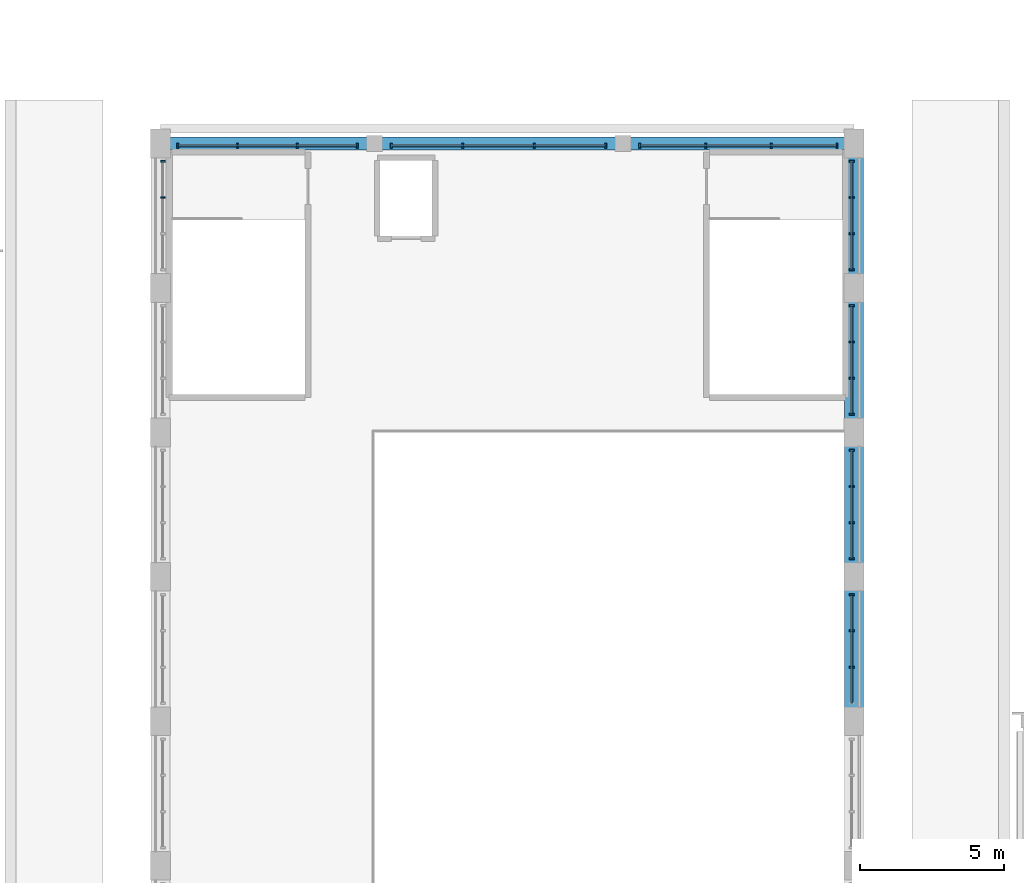
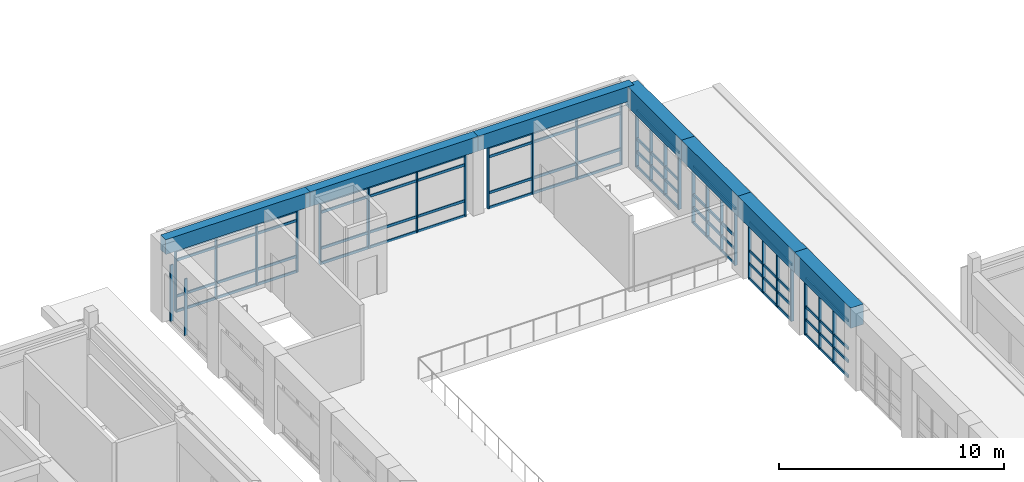
# One storey, part 27 of 97: 57 members, 7 beams, 8 elements without a shape of their own.
"""IFC4 building model written with IfcOpenShell, lengths in metres."""

from ifc_helpers import new_model, si_unit, direction, frame, origin, origin_2d, place, context, subcontext, project, spatial, rectangle, extrude, material, material_profile, profile_set, type_object, element, aggregate, save


model = new_model("IFC4")

# Units and contexts
model_context = context("Model", 3, precision=1e-05, world=origin(), true_north=direction((0.0, 1.0)))
body_context = subcontext(model_context, "Body", "Model", "MODEL_VIEW")
ifc_project = project(units=[si_unit("LENGTHUNIT", "METRE"), si_unit("AREAUNIT", "SQUARE_METRE"), si_unit("VOLUMEUNIT", "CUBIC_METRE"), si_unit("PLANEANGLEUNIT", "RADIAN"), si_unit("MASSUNIT", "GRAM", prefix="KILO")], contexts=[model_context])

# Site, building, storey
site_placement = place(None, origin())
site = spatial("IfcSite", under=ifc_project, at=site_placement, CompositionType="ELEMENT")
building_placement = place(site_placement, origin())
building = spatial("IfcBuilding", under=site, at=building_placement, Name="Kiranvali Square Residences", CompositionType="ELEMENT")
storey_placement = place(building_placement, frame((0.0, 0.0, 4.5)))
storey = spatial("IfcBuildingStorey", under=building, at=storey_placement, Name="L01", CompositionType="ELEMENT", Elevation=4.5)

# Beams
ifc_material_1 = material(Name="Concrete M50 (50 MPa)", Category="concrete")
ifc_material_profile_1 = material_profile(ifc_material_1, rectangle(XDim=0.449951171875, YDim=0.800048828125, at=origin_2d()), Name="RC 450x800")
ifc_profile_set_1 = profile_set([ifc_material_profile_1], Name="Concrete M50 (50 MPa)")
beam_type_1 = type_object("IfcBeamType", Name="BM-M50-450x800", PredefinedType="BEAM", material=ifc_profile_set_1)
beam_1_placement = place(storey_placement, frame((72.0, 84.0, 3.800048828125), z_axis=(1.0, 0.0, 0.0), x_axis=(0.0, 1.0, 0.0)))
element("IfcBeam", 1, at=beam_1_placement, inside=storey, type_object=beam_type_1, Name="L01 beam RB-CH-GAB-N-1", PredefinedType="BEAM", context=body_context, shape_type="SweptSolid", body=[
    extrude(rectangle(XDim=0.449951171875, YDim=0.800048828125, at=origin_2d()), origin(), (0.0, 0.0, 1.0), 7.39990234375),
])
beam_2_placement = place(storey_placement, frame((79.39990234375, 84.0, 3.800048828125), z_axis=(1.0, 0.0, 0.0), x_axis=(0.0, 1.0, 0.0)))
element("IfcBeam", 2, at=beam_2_placement, inside=storey, type_object=beam_type_1, Name="L01 beam RB-CH-GAB-N-2", PredefinedType="BEAM", context=body_context, shape_type="SweptSolid", body=[
    extrude(rectangle(XDim=0.449951171875, YDim=0.800048828125, at=origin_2d()), origin(), (0.0, 0.0, 1.0), 8.60009765625),
])
beam_3_placement = place(storey_placement, frame((88.0, 84.0, 3.800048828125), z_axis=(1.0, 0.0, 0.0), x_axis=(0.0, 1.0, 0.0)))
element("IfcBeam", 3, at=beam_3_placement, inside=storey, type_object=beam_type_1, Name="L01 beam RB-CH-GAB-N-3", PredefinedType="BEAM", context=body_context, shape_type="SweptSolid", body=[
    extrude(rectangle(XDim=0.449951171875, YDim=0.800048828125, at=origin_2d()), origin(), (0.0, 0.0, 1.0), 8.0),
])
ifc_material_2 = material(Name="Concrete M45 (45 MPa)", Category="concrete")
ifc_material_profile_2 = material_profile(ifc_material_2, rectangle(XDim=0.64990234375, YDim=1.10009765625, at=origin_2d()), Name="RC 650x1100")
ifc_profile_set_2 = profile_set([ifc_material_profile_2], Name="Concrete M45 (45 MPa)")
beam_type_2 = type_object("IfcBeamType", Name="BM-RING-650x1100", PredefinedType="BEAM", material=ifc_profile_set_2)
for number, where, z_axis, x_axis, name in (
    (4, (96.0, 64.0, 3.64990234375), (0.0, 1.0, 0.0), (-1.0, 0.0, 0.0), "Community Hall longitudinal vault ring beam E-5"),
    (5, (96.0, 69.0, 3.64990234375), (0.0, 1.0, 0.0), (-1.0, 0.0, 0.0), "Community Hall longitudinal vault ring beam E-6"),
    (6, (96.0, 74.0, 3.64990234375), (0.0, 1.0, 0.0), (-1.0, 0.0, 0.0), "Community Hall longitudinal vault ring beam E-7"),
    (7, (96.0, 79.0, 3.64990234375), (0.0, 1.0, 0.0), (-1.0, 0.0, 0.0), "Community Hall longitudinal vault ring beam E-8"),
):
    element("IfcBeam", number, at=place(storey_placement, frame(where, z_axis=z_axis, x_axis=x_axis)), inside=storey, type_object=beam_type_2, Name=name, PredefinedType="BEAM", context=body_context, shape_type="SweptSolid", body=[
        extrude(rectangle(XDim=0.64990234375, YDim=1.10009765625, at=origin_2d()), origin(), (0.0, 0.0, 1.0), 5.0),
    ])

# Curtain wall, members
ifc_material_3 = material(Name="Anodised bronze aluminium framing", Category="aluminium")
curtain_wall_type = type_object("IfcCurtainWallType", Name="CW-CH-GLZ", PredefinedType="USERDEFINED", material=ifc_material_3)
curtain_wall_1_placement = place(storey_placement, origin())
curtain_wall_1 = element("IfcCurtainWall", 8, at=curtain_wall_1_placement, inside=storey, type_object=curtain_wall_type, Name="Community Hall L01 E clerestory bay 5", ObjectType="CURTAIN WALL", PredefinedType="USERDEFINED")
ifc_material_profile_3 = material_profile(ifc_material_3, rectangle(XDim=0.06494140625, YDim=0.159912109375, at=origin_2d()), Name="ALU 65x160")
ifc_profile_set_3 = profile_set([ifc_material_profile_3], Name="Anodised bronze aluminium framing")
member_type_1 = type_object("IfcMemberType", Name="CW-MUL-160", PredefinedType="MULLION", material=ifc_profile_set_3)
member_1_placement = place(storey_placement, frame((95.919921875, 65.873291015625, 0.02001953125), z_axis=(0.0, 0.0, 1.0), x_axis=(0.0, 1.0, 0.0)))
member_1 = element("IfcMember", 9, at=member_1_placement, type_object=member_type_1, Name="CW-CH-L01-E5 vertical mullion 2", PredefinedType="MULLION", context=body_context, shape_type="SweptSolid", body=[
    extrude(rectangle(XDim=0.06494140625, YDim=0.159912109375, at=origin_2d()), origin(), (0.0, 0.0, 1.0), 3.06005859375),
])
member_2_placement = place(storey_placement, frame((95.919921875, 67.126708984375, 0.02001953125), z_axis=(0.0, 0.0, 1.0), x_axis=(0.0, 1.0, 0.0)))
member_2 = element("IfcMember", 10, at=member_2_placement, type_object=member_type_1, Name="CW-CH-L01-E5 vertical mullion 3", PredefinedType="MULLION", context=body_context, shape_type="SweptSolid", body=[
    extrude(rectangle(XDim=0.06494140625, YDim=0.159912109375, at=origin_2d()), origin(), (0.0, 0.0, 1.0), 3.06005859375),
])
member_3_placement = place(storey_placement, frame((95.919921875, 68.3798828125, 0.02001953125), z_axis=(0.0, 0.0, 1.0), x_axis=(0.0, 1.0, 0.0)))
member_3 = element("IfcMember", 11, at=member_3_placement, type_object=member_type_1, Name="CW-CH-L01-E5 vertical mullion 4", PredefinedType="MULLION", context=body_context, shape_type="SweptSolid", body=[
    extrude(rectangle(XDim=0.06494140625, YDim=0.159912109375, at=origin_2d()), origin(), (0.0, 0.0, 1.0), 3.06005859375),
])

curtain_wall_2_placement = place(storey_placement, origin())
curtain_wall_2 = element("IfcCurtainWall", 12, at=curtain_wall_2_placement, inside=storey, type_object=curtain_wall_type, Name="Community Hall L01 E clerestory bay 6", ObjectType="CURTAIN WALL", PredefinedType="USERDEFINED")
member_4_placement = place(storey_placement, frame((95.919921875, 69.6201171875, 0.02001953125), z_axis=(0.0, 0.0, 1.0), x_axis=(0.0, 1.0, 0.0)))
member_4 = element("IfcMember", 13, at=member_4_placement, type_object=member_type_1, Name="CW-CH-L01-E6 vertical mullion 1", PredefinedType="MULLION", context=body_context, shape_type="SweptSolid", body=[
    extrude(rectangle(XDim=0.06494140625, YDim=0.159912109375, at=origin_2d()), origin(), (0.0, 0.0, 1.0), 3.06005859375),
])
member_5_placement = place(storey_placement, frame((95.919921875, 70.873291015625, 0.02001953125), z_axis=(0.0, 0.0, 1.0), x_axis=(0.0, 1.0, 0.0)))
member_5 = element("IfcMember", 14, at=member_5_placement, type_object=member_type_1, Name="CW-CH-L01-E6 vertical mullion 2", PredefinedType="MULLION", context=body_context, shape_type="SweptSolid", body=[
    extrude(rectangle(XDim=0.06494140625, YDim=0.159912109375, at=origin_2d()), origin(), (0.0, 0.0, 1.0), 3.06005859375),
])
member_6_placement = place(storey_placement, frame((95.919921875, 72.126708984375, 0.02001953125), z_axis=(0.0, 0.0, 1.0), x_axis=(0.0, 1.0, 0.0)))
member_6 = element("IfcMember", 15, at=member_6_placement, type_object=member_type_1, Name="CW-CH-L01-E6 vertical mullion 3", PredefinedType="MULLION", context=body_context, shape_type="SweptSolid", body=[
    extrude(rectangle(XDim=0.06494140625, YDim=0.159912109375, at=origin_2d()), origin(), (0.0, 0.0, 1.0), 3.06005859375),
])
member_7_placement = place(storey_placement, frame((95.919921875, 73.3798828125, 0.02001953125), z_axis=(0.0, 0.0, 1.0), x_axis=(0.0, 1.0, 0.0)))
member_7 = element("IfcMember", 16, at=member_7_placement, type_object=member_type_1, Name="CW-CH-L01-E6 vertical mullion 4", PredefinedType="MULLION", context=body_context, shape_type="SweptSolid", body=[
    extrude(rectangle(XDim=0.06494140625, YDim=0.159912109375, at=origin_2d()), origin(), (0.0, 0.0, 1.0), 3.06005859375),
])

curtain_wall_3_placement = place(storey_placement, origin())
curtain_wall_3 = element("IfcCurtainWall", 17, at=curtain_wall_3_placement, inside=storey, type_object=curtain_wall_type, Name="Community Hall L01 E clerestory bay 7", ObjectType="CURTAIN WALL", PredefinedType="USERDEFINED")
member_8_placement = place(storey_placement, frame((95.919921875, 74.6201171875, 0.02001953125), z_axis=(0.0, 0.0, 1.0), x_axis=(0.0, 1.0, 0.0)))
member_8 = element("IfcMember", 18, at=member_8_placement, type_object=member_type_1, Name="CW-CH-L01-E7 vertical mullion 1", PredefinedType="MULLION", context=body_context, shape_type="SweptSolid", body=[
    extrude(rectangle(XDim=0.06494140625, YDim=0.159912109375, at=origin_2d()), origin(), (0.0, 0.0, 1.0), 3.06005859375),
])
member_9_placement = place(storey_placement, frame((95.919921875, 75.873291015625, 0.02001953125), z_axis=(0.0, 0.0, 1.0), x_axis=(0.0, 1.0, 0.0)))
member_9 = element("IfcMember", 19, at=member_9_placement, type_object=member_type_1, Name="CW-CH-L01-E7 vertical mullion 2", PredefinedType="MULLION", context=body_context, shape_type="SweptSolid", body=[
    extrude(rectangle(XDim=0.06494140625, YDim=0.159912109375, at=origin_2d()), origin(), (0.0, 0.0, 1.0), 3.06005859375),
])
member_10_placement = place(storey_placement, frame((95.919921875, 77.126708984375, 0.02001953125), z_axis=(0.0, 0.0, 1.0), x_axis=(0.0, 1.0, 0.0)))
member_10 = element("IfcMember", 20, at=member_10_placement, type_object=member_type_1, Name="CW-CH-L01-E7 vertical mullion 3", PredefinedType="MULLION", context=body_context, shape_type="SweptSolid", body=[
    extrude(rectangle(XDim=0.06494140625, YDim=0.159912109375, at=origin_2d()), origin(), (0.0, 0.0, 1.0), 3.06005859375),
])
member_11_placement = place(storey_placement, frame((95.919921875, 78.3798828125, 0.02001953125), z_axis=(0.0, 0.0, 1.0), x_axis=(0.0, 1.0, 0.0)))
member_11 = element("IfcMember", 21, at=member_11_placement, type_object=member_type_1, Name="CW-CH-L01-E7 vertical mullion 4", PredefinedType="MULLION", context=body_context, shape_type="SweptSolid", body=[
    extrude(rectangle(XDim=0.06494140625, YDim=0.159912109375, at=origin_2d()), origin(), (0.0, 0.0, 1.0), 3.06005859375),
])

curtain_wall_4_placement = place(storey_placement, origin())
curtain_wall_4 = element("IfcCurtainWall", 22, at=curtain_wall_4_placement, inside=storey, type_object=curtain_wall_type, Name="Community Hall L01 W clerestory bay 8", ObjectType="CURTAIN WALL", PredefinedType="USERDEFINED")
member_12_placement = place(storey_placement, frame((72.080078125, 82.126708984375, 0.02001953125), z_axis=(0.0, 0.0, 1.0), x_axis=(0.0, 1.0, 0.0)))
member_12 = element("IfcMember", 23, at=member_12_placement, type_object=member_type_1, Name="CW-CH-L01-W8 vertical mullion 3", PredefinedType="MULLION", context=body_context, shape_type="SweptSolid", body=[
    extrude(rectangle(XDim=0.06494140625, YDim=0.159912109375, at=origin_2d()), origin(), (0.0, 0.0, 1.0), 3.06005859375),
])
member_13_placement = place(storey_placement, frame((72.080078125, 83.3798828125, 0.02001953125), z_axis=(0.0, 0.0, 1.0), x_axis=(0.0, 1.0, 0.0)))
member_13 = element("IfcMember", 24, at=member_13_placement, type_object=member_type_1, Name="CW-CH-L01-W8 vertical mullion 4", PredefinedType="MULLION", context=body_context, shape_type="SweptSolid", body=[
    extrude(rectangle(XDim=0.06494140625, YDim=0.159912109375, at=origin_2d()), origin(), (0.0, 0.0, 1.0), 3.06005859375),
])
aggregate(curtain_wall_4, [member_12, member_13])

curtain_wall_5_placement = place(storey_placement, origin())
curtain_wall_5 = element("IfcCurtainWall", 25, at=curtain_wall_5_placement, inside=storey, type_object=curtain_wall_type, Name="Community Hall L01 E clerestory bay 8", ObjectType="CURTAIN WALL", PredefinedType="USERDEFINED")
member_14_placement = place(storey_placement, frame((95.919921875, 79.6201171875, 0.02001953125), z_axis=(0.0, 0.0, 1.0), x_axis=(0.0, 1.0, 0.0)))
member_14 = element("IfcMember", 26, at=member_14_placement, type_object=member_type_1, Name="CW-CH-L01-E8 vertical mullion 1", PredefinedType="MULLION", context=body_context, shape_type="SweptSolid", body=[
    extrude(rectangle(XDim=0.06494140625, YDim=0.159912109375, at=origin_2d()), origin(), (0.0, 0.0, 1.0), 3.06005859375),
])
member_15_placement = place(storey_placement, frame((95.919921875, 80.873291015625, 0.02001953125), z_axis=(0.0, 0.0, 1.0), x_axis=(0.0, 1.0, 0.0)))
member_15 = element("IfcMember", 27, at=member_15_placement, type_object=member_type_1, Name="CW-CH-L01-E8 vertical mullion 2", PredefinedType="MULLION", context=body_context, shape_type="SweptSolid", body=[
    extrude(rectangle(XDim=0.06494140625, YDim=0.159912109375, at=origin_2d()), origin(), (0.0, 0.0, 1.0), 3.06005859375),
])
member_16_placement = place(storey_placement, frame((95.919921875, 82.126708984375, 0.02001953125), z_axis=(0.0, 0.0, 1.0), x_axis=(0.0, 1.0, 0.0)))
member_16 = element("IfcMember", 28, at=member_16_placement, type_object=member_type_1, Name="CW-CH-L01-E8 vertical mullion 3", PredefinedType="MULLION", context=body_context, shape_type="SweptSolid", body=[
    extrude(rectangle(XDim=0.06494140625, YDim=0.159912109375, at=origin_2d()), origin(), (0.0, 0.0, 1.0), 3.06005859375),
])
member_17_placement = place(storey_placement, frame((95.919921875, 83.3798828125, 0.02001953125), z_axis=(0.0, 0.0, 1.0), x_axis=(0.0, 1.0, 0.0)))
member_17 = element("IfcMember", 29, at=member_17_placement, type_object=member_type_1, Name="CW-CH-L01-E8 vertical mullion 4", PredefinedType="MULLION", context=body_context, shape_type="SweptSolid", body=[
    extrude(rectangle(XDim=0.06494140625, YDim=0.159912109375, at=origin_2d()), origin(), (0.0, 0.0, 1.0), 3.06005859375),
])

curtain_wall_6_placement = place(storey_placement, origin())
curtain_wall_6 = element("IfcCurtainWall", 30, at=curtain_wall_6_placement, inside=storey, type_object=curtain_wall_type, Name="Community Hall N gallery bay 1", ObjectType="CURTAIN WALL", PredefinedType="USERDEFINED")
member_18_placement = place(storey_placement, frame((72.590087890625, 83.919921875, 0.02001953125), z_axis=(0.0, 0.0, 1.0), x_axis=(1.0, 0.0, 0.0)))
member_18 = element("IfcMember", 31, at=member_18_placement, type_object=member_type_1, Name="CW-CH-GAB-N1-1 vertical mullion 1", PredefinedType="MULLION", context=body_context, shape_type="SweptSolid", body=[
    extrude(rectangle(XDim=0.06494140625, YDim=0.159912109375, at=origin_2d()), origin(), (0.0, 0.0, 1.0), 3.31005859375),
])
member_19_placement = place(storey_placement, frame((74.663330078125, 83.919921875, 0.02001953125), z_axis=(0.0, 0.0, 1.0), x_axis=(1.0, 0.0, 0.0)))
member_19 = element("IfcMember", 32, at=member_19_placement, type_object=member_type_1, Name="CW-CH-GAB-N1-1 vertical mullion 2", PredefinedType="MULLION", context=body_context, shape_type="SweptSolid", body=[
    extrude(rectangle(XDim=0.06494140625, YDim=0.159912109375, at=origin_2d()), origin(), (0.0, 0.0, 1.0), 3.31005859375),
])
member_20_placement = place(storey_placement, frame((76.736572265625, 83.919921875, 0.02001953125), z_axis=(0.0, 0.0, 1.0), x_axis=(1.0, 0.0, 0.0)))
member_20 = element("IfcMember", 33, at=member_20_placement, type_object=member_type_1, Name="CW-CH-GAB-N1-1 vertical mullion 3", PredefinedType="MULLION", context=body_context, shape_type="SweptSolid", body=[
    extrude(rectangle(XDim=0.06494140625, YDim=0.159912109375, at=origin_2d()), origin(), (0.0, 0.0, 1.0), 3.31005859375),
])
member_21_placement = place(storey_placement, frame((78.81005859375, 83.919921875, 0.02001953125), z_axis=(0.0, 0.0, 1.0), x_axis=(1.0, 0.0, 0.0)))
member_21 = element("IfcMember", 34, at=member_21_placement, type_object=member_type_1, Name="CW-CH-GAB-N1-1 vertical mullion 4", PredefinedType="MULLION", context=body_context, shape_type="SweptSolid", body=[
    extrude(rectangle(XDim=0.06494140625, YDim=0.159912109375, at=origin_2d()), origin(), (0.0, 0.0, 1.0), 3.31005859375),
])

curtain_wall_7_placement = place(storey_placement, origin())
curtain_wall_7 = element("IfcCurtainWall", 35, at=curtain_wall_7_placement, inside=storey, type_object=curtain_wall_type, Name="Community Hall N gallery bay 2", ObjectType="CURTAIN WALL", PredefinedType="USERDEFINED")
member_22_placement = place(storey_placement, frame((79.989990234375, 83.919921875, 0.02001953125), z_axis=(0.0, 0.0, 1.0), x_axis=(1.0, 0.0, 0.0)))
member_22 = element("IfcMember", 36, at=member_22_placement, type_object=member_type_1, Name="CW-CH-GAB-N1-2 vertical mullion 1", PredefinedType="MULLION", context=body_context, shape_type="SweptSolid", body=[
    extrude(rectangle(XDim=0.06494140625, YDim=0.159912109375, at=origin_2d()), origin(), (0.0, 0.0, 1.0), 3.31005859375),
])
member_23_placement = place(storey_placement, frame((82.46337890625, 83.919921875, 0.02001953125), z_axis=(0.0, 0.0, 1.0), x_axis=(1.0, 0.0, 0.0)))
member_23 = element("IfcMember", 37, at=member_23_placement, type_object=member_type_1, Name="CW-CH-GAB-N1-2 vertical mullion 2", PredefinedType="MULLION", context=body_context, shape_type="SweptSolid", body=[
    extrude(rectangle(XDim=0.06494140625, YDim=0.159912109375, at=origin_2d()), origin(), (0.0, 0.0, 1.0), 3.31005859375),
])
member_24_placement = place(storey_placement, frame((84.936767578125, 83.919921875, 0.02001953125), z_axis=(0.0, 0.0, 1.0), x_axis=(1.0, 0.0, 0.0)))
member_24 = element("IfcMember", 38, at=member_24_placement, type_object=member_type_1, Name="CW-CH-GAB-N1-2 vertical mullion 3", PredefinedType="MULLION", context=body_context, shape_type="SweptSolid", body=[
    extrude(rectangle(XDim=0.06494140625, YDim=0.159912109375, at=origin_2d()), origin(), (0.0, 0.0, 1.0), 3.31005859375),
])
member_25_placement = place(storey_placement, frame((87.409912109375, 83.919921875, 0.02001953125), z_axis=(0.0, 0.0, 1.0), x_axis=(1.0, 0.0, 0.0)))
member_25 = element("IfcMember", 39, at=member_25_placement, type_object=member_type_1, Name="CW-CH-GAB-N1-2 vertical mullion 4", PredefinedType="MULLION", context=body_context, shape_type="SweptSolid", body=[
    extrude(rectangle(XDim=0.06494140625, YDim=0.159912109375, at=origin_2d()), origin(), (0.0, 0.0, 1.0), 3.31005859375),
])

curtain_wall_8_placement = place(storey_placement, origin())
curtain_wall_8 = element("IfcCurtainWall", 40, at=curtain_wall_8_placement, inside=storey, type_object=curtain_wall_type, Name="Community Hall N gallery bay 3", ObjectType="CURTAIN WALL", PredefinedType="USERDEFINED")
member_26_placement = place(storey_placement, frame((88.590087890625, 83.919921875, 0.02001953125), z_axis=(0.0, 0.0, 1.0), x_axis=(1.0, 0.0, 0.0)))
member_26 = element("IfcMember", 41, at=member_26_placement, type_object=member_type_1, Name="CW-CH-GAB-N1-3 vertical mullion 1", PredefinedType="MULLION", context=body_context, shape_type="SweptSolid", body=[
    extrude(rectangle(XDim=0.06494140625, YDim=0.159912109375, at=origin_2d()), origin(), (0.0, 0.0, 1.0), 3.31005859375),
])
member_27_placement = place(storey_placement, frame((90.86328125, 83.919921875, 0.02001953125), z_axis=(0.0, 0.0, 1.0), x_axis=(1.0, 0.0, 0.0)))
member_27 = element("IfcMember", 42, at=member_27_placement, type_object=member_type_1, Name="CW-CH-GAB-N1-3 vertical mullion 2", PredefinedType="MULLION", context=body_context, shape_type="SweptSolid", body=[
    extrude(rectangle(XDim=0.06494140625, YDim=0.159912109375, at=origin_2d()), origin(), (0.0, 0.0, 1.0), 3.31005859375),
])
member_28_placement = place(storey_placement, frame((93.13671875, 83.919921875, 0.02001953125), z_axis=(0.0, 0.0, 1.0), x_axis=(1.0, 0.0, 0.0)))
member_28 = element("IfcMember", 43, at=member_28_placement, type_object=member_type_1, Name="CW-CH-GAB-N1-3 vertical mullion 3", PredefinedType="MULLION", context=body_context, shape_type="SweptSolid", body=[
    extrude(rectangle(XDim=0.06494140625, YDim=0.159912109375, at=origin_2d()), origin(), (0.0, 0.0, 1.0), 3.31005859375),
])
member_29_placement = place(storey_placement, frame((95.409912109375, 83.919921875, 0.02001953125), z_axis=(0.0, 0.0, 1.0), x_axis=(1.0, 0.0, 0.0)))
member_29 = element("IfcMember", 44, at=member_29_placement, type_object=member_type_1, Name="CW-CH-GAB-N1-3 vertical mullion 4", PredefinedType="MULLION", context=body_context, shape_type="SweptSolid", body=[
    extrude(rectangle(XDim=0.06494140625, YDim=0.159912109375, at=origin_2d()), origin(), (0.0, 0.0, 1.0), 3.31005859375),
])

# Member
ifc_material_profile_4 = material_profile(ifc_material_3, rectangle(XDim=0.06494140625, YDim=0.139892578125, at=origin_2d()), Name="ALU 65x140")
ifc_profile_set_4 = profile_set([ifc_material_profile_4], Name="Anodised bronze aluminium framing")
member_type_2 = type_object("IfcMemberType", Name="CW-TRN-140", PredefinedType="MULLION", material=ifc_profile_set_4)
member_30_placement = place(storey_placement, frame((95.919921875, 64.6298828125, 0.0400390625), z_axis=(0.0, 1.0, 0.0), x_axis=(-1.0, 0.0, 0.0)))
member_30 = element("IfcMember", 45, at=member_30_placement, type_object=member_type_2, Name="CW-CH-L01-E5 horizontal transom 1", PredefinedType="MULLION", context=body_context, shape_type="SweptSolid", body=[
    extrude(rectangle(XDim=0.06494140625, YDim=0.139892578125, at=origin_2d()), origin(), (0.0, 0.0, 1.0), 3.740234375),
])

member_31_placement = place(storey_placement, frame((95.919921875, 64.6298828125, 0.85009765625), z_axis=(0.0, 1.0, 0.0), x_axis=(-1.0, 0.0, 0.0)))
member_31 = element("IfcMember", 46, at=member_31_placement, type_object=member_type_2, Name="CW-CH-L01-E5 horizontal transom 2", PredefinedType="MULLION", context=body_context, shape_type="SweptSolid", body=[
    extrude(rectangle(XDim=0.06494140625, YDim=0.139892578125, at=origin_2d()), origin(), (0.0, 0.0, 1.0), 3.740234375),
])

member_32_placement = place(storey_placement, frame((95.919921875, 64.6298828125, 1.550048828125), z_axis=(0.0, 1.0, 0.0), x_axis=(-1.0, 0.0, 0.0)))
member_32 = element("IfcMember", 47, at=member_32_placement, type_object=member_type_2, Name="CW-CH-L01-E5 horizontal transom 3", PredefinedType="MULLION", context=body_context, shape_type="SweptSolid", body=[
    extrude(rectangle(XDim=0.06494140625, YDim=0.139892578125, at=origin_2d()), origin(), (0.0, 0.0, 1.0), 3.740234375),
])

member_33_placement = place(storey_placement, frame((95.919921875, 64.6298828125, 3.06005859375), z_axis=(0.0, 1.0, 0.0), x_axis=(-1.0, 0.0, 0.0)))
member_33 = element("IfcMember", 48, at=member_33_placement, type_object=member_type_2, Name="CW-CH-L01-E5 horizontal transom 4", PredefinedType="MULLION", context=body_context, shape_type="SweptSolid", body=[
    extrude(rectangle(XDim=0.06494140625, YDim=0.139892578125, at=origin_2d()), origin(), (0.0, 0.0, 1.0), 3.740234375),
])

aggregate(curtain_wall_1, [member_1, member_2, member_3, member_30, member_31, member_32, member_33])

member_34_placement = place(storey_placement, frame((95.919921875, 69.6298828125, 0.0400390625), z_axis=(0.0, 1.0, 0.0), x_axis=(-1.0, 0.0, 0.0)))
member_34 = element("IfcMember", 49, at=member_34_placement, type_object=member_type_2, Name="CW-CH-L01-E6 horizontal transom 1", PredefinedType="MULLION", context=body_context, shape_type="SweptSolid", body=[
    extrude(rectangle(XDim=0.06494140625, YDim=0.139892578125, at=origin_2d()), origin(), (0.0, 0.0, 1.0), 3.740234375),
])

member_35_placement = place(storey_placement, frame((95.919921875, 69.6298828125, 0.85009765625), z_axis=(0.0, 1.0, 0.0), x_axis=(-1.0, 0.0, 0.0)))
member_35 = element("IfcMember", 50, at=member_35_placement, type_object=member_type_2, Name="CW-CH-L01-E6 horizontal transom 2", PredefinedType="MULLION", context=body_context, shape_type="SweptSolid", body=[
    extrude(rectangle(XDim=0.06494140625, YDim=0.139892578125, at=origin_2d()), origin(), (0.0, 0.0, 1.0), 3.740234375),
])

member_36_placement = place(storey_placement, frame((95.919921875, 69.6298828125, 1.550048828125), z_axis=(0.0, 1.0, 0.0), x_axis=(-1.0, 0.0, 0.0)))
member_36 = element("IfcMember", 51, at=member_36_placement, type_object=member_type_2, Name="CW-CH-L01-E6 horizontal transom 3", PredefinedType="MULLION", context=body_context, shape_type="SweptSolid", body=[
    extrude(rectangle(XDim=0.06494140625, YDim=0.139892578125, at=origin_2d()), origin(), (0.0, 0.0, 1.0), 3.740234375),
])

member_37_placement = place(storey_placement, frame((95.919921875, 69.6298828125, 3.06005859375), z_axis=(0.0, 1.0, 0.0), x_axis=(-1.0, 0.0, 0.0)))
member_37 = element("IfcMember", 52, at=member_37_placement, type_object=member_type_2, Name="CW-CH-L01-E6 horizontal transom 4", PredefinedType="MULLION", context=body_context, shape_type="SweptSolid", body=[
    extrude(rectangle(XDim=0.06494140625, YDim=0.139892578125, at=origin_2d()), origin(), (0.0, 0.0, 1.0), 3.740234375),
])

aggregate(curtain_wall_2, [member_4, member_5, member_6, member_7, member_34, member_35, member_36, member_37])

member_38_placement = place(storey_placement, frame((95.919921875, 74.6298828125, 0.0400390625), z_axis=(0.0, 1.0, 0.0), x_axis=(-1.0, 0.0, 0.0)))
member_38 = element("IfcMember", 53, at=member_38_placement, type_object=member_type_2, Name="CW-CH-L01-E7 horizontal transom 1", PredefinedType="MULLION", context=body_context, shape_type="SweptSolid", body=[
    extrude(rectangle(XDim=0.06494140625, YDim=0.139892578125, at=origin_2d()), origin(), (0.0, 0.0, 1.0), 3.740234375),
])

member_39_placement = place(storey_placement, frame((95.919921875, 74.6298828125, 0.85009765625), z_axis=(0.0, 1.0, 0.0), x_axis=(-1.0, 0.0, 0.0)))
member_39 = element("IfcMember", 54, at=member_39_placement, type_object=member_type_2, Name="CW-CH-L01-E7 horizontal transom 2", PredefinedType="MULLION", context=body_context, shape_type="SweptSolid", body=[
    extrude(rectangle(XDim=0.06494140625, YDim=0.139892578125, at=origin_2d()), origin(), (0.0, 0.0, 1.0), 3.740234375),
])

member_40_placement = place(storey_placement, frame((95.919921875, 74.6298828125, 1.550048828125), z_axis=(0.0, 1.0, 0.0), x_axis=(-1.0, 0.0, 0.0)))
member_40 = element("IfcMember", 55, at=member_40_placement, type_object=member_type_2, Name="CW-CH-L01-E7 horizontal transom 3", PredefinedType="MULLION", context=body_context, shape_type="SweptSolid", body=[
    extrude(rectangle(XDim=0.06494140625, YDim=0.139892578125, at=origin_2d()), origin(), (0.0, 0.0, 1.0), 3.740234375),
])

member_41_placement = place(storey_placement, frame((95.919921875, 74.6298828125, 3.06005859375), z_axis=(0.0, 1.0, 0.0), x_axis=(-1.0, 0.0, 0.0)))
member_41 = element("IfcMember", 56, at=member_41_placement, type_object=member_type_2, Name="CW-CH-L01-E7 horizontal transom 4", PredefinedType="MULLION", context=body_context, shape_type="SweptSolid", body=[
    extrude(rectangle(XDim=0.06494140625, YDim=0.139892578125, at=origin_2d()), origin(), (0.0, 0.0, 1.0), 3.740234375),
])

aggregate(curtain_wall_3, [member_8, member_9, member_10, member_11, member_38, member_39, member_40, member_41])

member_42_placement = place(storey_placement, frame((95.919921875, 79.6298828125, 0.0400390625), z_axis=(0.0, 1.0, 0.0), x_axis=(-1.0, 0.0, 0.0)))
member_42 = element("IfcMember", 57, at=member_42_placement, type_object=member_type_2, Name="CW-CH-L01-E8 horizontal transom 1", PredefinedType="MULLION", context=body_context, shape_type="SweptSolid", body=[
    extrude(rectangle(XDim=0.06494140625, YDim=0.139892578125, at=origin_2d()), origin(), (0.0, 0.0, 1.0), 3.740234375),
])

member_43_placement = place(storey_placement, frame((95.919921875, 79.6298828125, 0.85009765625), z_axis=(0.0, 1.0, 0.0), x_axis=(-1.0, 0.0, 0.0)))
member_43 = element("IfcMember", 58, at=member_43_placement, type_object=member_type_2, Name="CW-CH-L01-E8 horizontal transom 2", PredefinedType="MULLION", context=body_context, shape_type="SweptSolid", body=[
    extrude(rectangle(XDim=0.06494140625, YDim=0.139892578125, at=origin_2d()), origin(), (0.0, 0.0, 1.0), 3.740234375),
])

member_44_placement = place(storey_placement, frame((95.919921875, 79.6298828125, 1.550048828125), z_axis=(0.0, 1.0, 0.0), x_axis=(-1.0, 0.0, 0.0)))
member_44 = element("IfcMember", 59, at=member_44_placement, type_object=member_type_2, Name="CW-CH-L01-E8 horizontal transom 3", PredefinedType="MULLION", context=body_context, shape_type="SweptSolid", body=[
    extrude(rectangle(XDim=0.06494140625, YDim=0.139892578125, at=origin_2d()), origin(), (0.0, 0.0, 1.0), 3.740234375),
])

member_45_placement = place(storey_placement, frame((95.919921875, 79.6298828125, 3.06005859375), z_axis=(0.0, 1.0, 0.0), x_axis=(-1.0, 0.0, 0.0)))
member_45 = element("IfcMember", 60, at=member_45_placement, type_object=member_type_2, Name="CW-CH-L01-E8 horizontal transom 4", PredefinedType="MULLION", context=body_context, shape_type="SweptSolid", body=[
    extrude(rectangle(XDim=0.06494140625, YDim=0.139892578125, at=origin_2d()), origin(), (0.0, 0.0, 1.0), 3.740234375),
])

aggregate(curtain_wall_5, [member_14, member_15, member_16, member_17, member_42, member_43, member_44, member_45])

member_46_placement = place(storey_placement, frame((72.60009765625, 83.919921875, 0.0400390625), z_axis=(1.0, 0.0, 0.0), x_axis=(0.0, 1.0, 0.0)))
member_46 = element("IfcMember", 61, at=member_46_placement, type_object=member_type_2, Name="CW-CH-GAB-N1-1 horizontal transom 1", PredefinedType="MULLION", context=body_context, shape_type="SweptSolid", body=[
    extrude(rectangle(XDim=0.06494140625, YDim=0.139892578125, at=origin_2d()), origin(), (0.0, 0.0, 1.0), 6.199951171875),
])

member_47_placement = place(storey_placement, frame((72.60009765625, 83.919921875, 0.85009765625), z_axis=(1.0, 0.0, 0.0), x_axis=(0.0, 1.0, 0.0)))
member_47 = element("IfcMember", 62, at=member_47_placement, type_object=member_type_2, Name="CW-CH-GAB-N1-1 horizontal transom 2", PredefinedType="MULLION", context=body_context, shape_type="SweptSolid", body=[
    extrude(rectangle(XDim=0.06494140625, YDim=0.139892578125, at=origin_2d()), origin(), (0.0, 0.0, 1.0), 6.199951171875),
])

member_48_placement = place(storey_placement, frame((72.60009765625, 83.919921875, 2.800048828125), z_axis=(1.0, 0.0, 0.0), x_axis=(0.0, 1.0, 0.0)))
member_48 = element("IfcMember", 63, at=member_48_placement, type_object=member_type_2, Name="CW-CH-GAB-N1-1 horizontal transom 3", PredefinedType="MULLION", context=body_context, shape_type="SweptSolid", body=[
    extrude(rectangle(XDim=0.06494140625, YDim=0.139892578125, at=origin_2d()), origin(), (0.0, 0.0, 1.0), 6.199951171875),
])

member_49_placement = place(storey_placement, frame((72.60009765625, 83.919921875, 3.31005859375), z_axis=(1.0, 0.0, 0.0), x_axis=(0.0, 1.0, 0.0)))
member_49 = element("IfcMember", 64, at=member_49_placement, type_object=member_type_2, Name="CW-CH-GAB-N1-1 horizontal transom 4", PredefinedType="MULLION", context=body_context, shape_type="SweptSolid", body=[
    extrude(rectangle(XDim=0.06494140625, YDim=0.139892578125, at=origin_2d()), origin(), (0.0, 0.0, 1.0), 6.199951171875),
])

aggregate(curtain_wall_6, [member_18, member_19, member_20, member_21, member_46, member_47, member_48, member_49])

member_50_placement = place(storey_placement, frame((80.0, 83.919921875, 0.0400390625), z_axis=(1.0, 0.0, 0.0), x_axis=(0.0, 1.0, 0.0)))
member_50 = element("IfcMember", 65, at=member_50_placement, type_object=member_type_2, Name="CW-CH-GAB-N1-2 horizontal transom 1", PredefinedType="MULLION", context=body_context, shape_type="SweptSolid", body=[
    extrude(rectangle(XDim=0.06494140625, YDim=0.139892578125, at=origin_2d()), origin(), (0.0, 0.0, 1.0), 7.39990234375),
])

member_51_placement = place(storey_placement, frame((80.0, 83.919921875, 0.85009765625), z_axis=(1.0, 0.0, 0.0), x_axis=(0.0, 1.0, 0.0)))
member_51 = element("IfcMember", 66, at=member_51_placement, type_object=member_type_2, Name="CW-CH-GAB-N1-2 horizontal transom 2", PredefinedType="MULLION", context=body_context, shape_type="SweptSolid", body=[
    extrude(rectangle(XDim=0.06494140625, YDim=0.139892578125, at=origin_2d()), origin(), (0.0, 0.0, 1.0), 7.39990234375),
])

member_52_placement = place(storey_placement, frame((80.0, 83.919921875, 2.800048828125), z_axis=(1.0, 0.0, 0.0), x_axis=(0.0, 1.0, 0.0)))
member_52 = element("IfcMember", 67, at=member_52_placement, type_object=member_type_2, Name="CW-CH-GAB-N1-2 horizontal transom 3", PredefinedType="MULLION", context=body_context, shape_type="SweptSolid", body=[
    extrude(rectangle(XDim=0.06494140625, YDim=0.139892578125, at=origin_2d()), origin(), (0.0, 0.0, 1.0), 7.39990234375),
])

member_53_placement = place(storey_placement, frame((80.0, 83.919921875, 3.31005859375), z_axis=(1.0, 0.0, 0.0), x_axis=(0.0, 1.0, 0.0)))
member_53 = element("IfcMember", 68, at=member_53_placement, type_object=member_type_2, Name="CW-CH-GAB-N1-2 horizontal transom 4", PredefinedType="MULLION", context=body_context, shape_type="SweptSolid", body=[
    extrude(rectangle(XDim=0.06494140625, YDim=0.139892578125, at=origin_2d()), origin(), (0.0, 0.0, 1.0), 7.39990234375),
])

aggregate(curtain_wall_7, [member_22, member_23, member_24, member_25, member_50, member_51, member_52, member_53])

member_54_placement = place(storey_placement, frame((88.60009765625, 83.919921875, 0.0400390625), z_axis=(1.0, 0.0, 0.0), x_axis=(0.0, 1.0, 0.0)))
member_54 = element("IfcMember", 69, at=member_54_placement, type_object=member_type_2, Name="CW-CH-GAB-N1-3 horizontal transom 1", PredefinedType="MULLION", context=body_context, shape_type="SweptSolid", body=[
    extrude(rectangle(XDim=0.06494140625, YDim=0.139892578125, at=origin_2d()), origin(), (0.0, 0.0, 1.0), 6.7998046875),
])

member_55_placement = place(storey_placement, frame((88.60009765625, 83.919921875, 0.85009765625), z_axis=(1.0, 0.0, 0.0), x_axis=(0.0, 1.0, 0.0)))
member_55 = element("IfcMember", 70, at=member_55_placement, type_object=member_type_2, Name="CW-CH-GAB-N1-3 horizontal transom 2", PredefinedType="MULLION", context=body_context, shape_type="SweptSolid", body=[
    extrude(rectangle(XDim=0.06494140625, YDim=0.139892578125, at=origin_2d()), origin(), (0.0, 0.0, 1.0), 6.7998046875),
])

member_56_placement = place(storey_placement, frame((88.60009765625, 83.919921875, 2.800048828125), z_axis=(1.0, 0.0, 0.0), x_axis=(0.0, 1.0, 0.0)))
member_56 = element("IfcMember", 71, at=member_56_placement, type_object=member_type_2, Name="CW-CH-GAB-N1-3 horizontal transom 3", PredefinedType="MULLION", context=body_context, shape_type="SweptSolid", body=[
    extrude(rectangle(XDim=0.06494140625, YDim=0.139892578125, at=origin_2d()), origin(), (0.0, 0.0, 1.0), 6.7998046875),
])

member_57_placement = place(storey_placement, frame((88.60009765625, 83.919921875, 3.31005859375), z_axis=(1.0, 0.0, 0.0), x_axis=(0.0, 1.0, 0.0)))
member_57 = element("IfcMember", 72, at=member_57_placement, type_object=member_type_2, Name="CW-CH-GAB-N1-3 horizontal transom 4", PredefinedType="MULLION", context=body_context, shape_type="SweptSolid", body=[
    extrude(rectangle(XDim=0.06494140625, YDim=0.139892578125, at=origin_2d()), origin(), (0.0, 0.0, 1.0), 6.7998046875),
])

aggregate(curtain_wall_8, [member_26, member_27, member_28, member_29, member_54, member_55, member_56, member_57])

save(model, "model.ifc")
